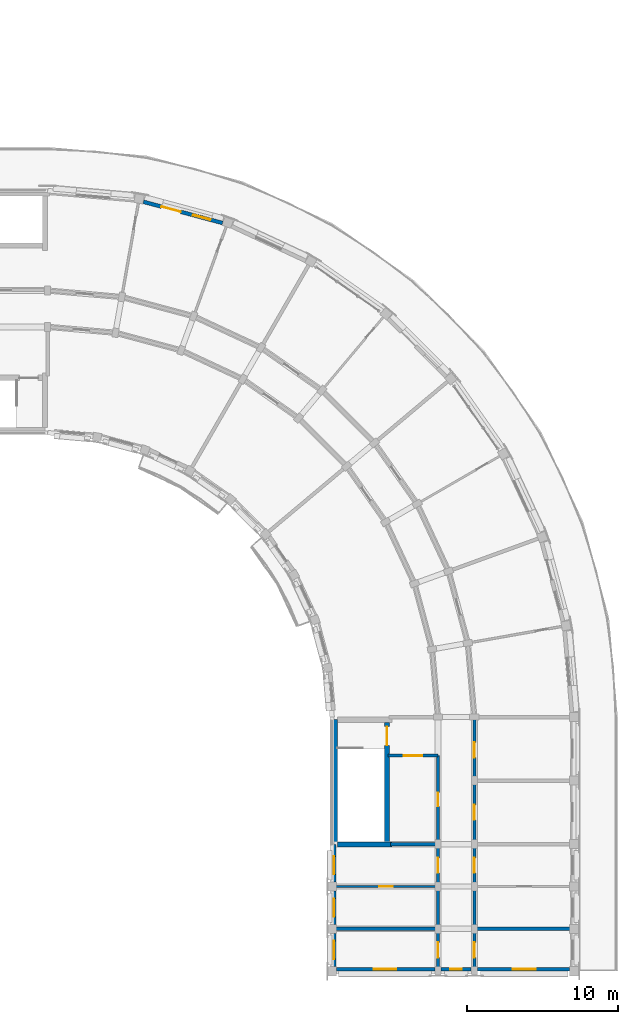
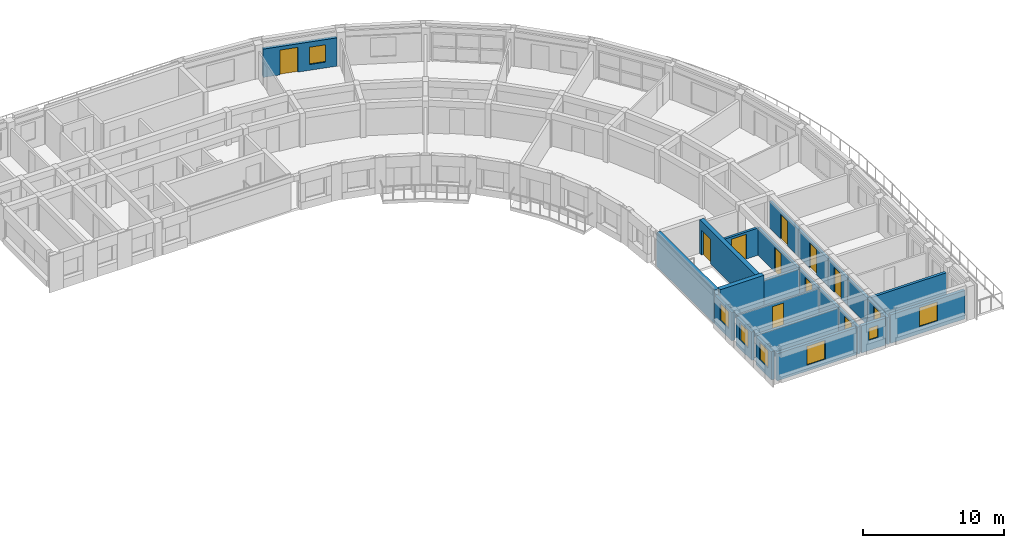
# One storey, part 19 of 32: 24 walls, 11 doors, 7 windows, 18 openings.
"""IFC4 building model written with IfcOpenShell, lengths in metres."""

from ifc_helpers import new_model, si_unit, direction, frame, frame_2d, origin, place, context, subcontext, project, spatial, rectangle, extrude, material, layer, layer_set, type_object, element, fill, save


model = new_model("IFC4")

# Units and contexts
model_context = context("Model", 3, precision=1e-05, world=origin(), true_north=direction((0.0, 1.0)))
body_context = subcontext(model_context, "Body", "Model", "MODEL_VIEW")
ifc_project = project(units=[si_unit("LENGTHUNIT", "METRE"), si_unit("AREAUNIT", "SQUARE_METRE"), si_unit("VOLUMEUNIT", "CUBIC_METRE"), si_unit("PLANEANGLEUNIT", "RADIAN"), si_unit("MASSUNIT", "GRAM", prefix="KILO")], contexts=[model_context])

# Site, building, storey
site_placement = place(None, origin())
site = spatial("IfcSite", under=ifc_project, at=site_placement, CompositionType="ELEMENT")
building_placement = place(site_placement, origin())
building = spatial("IfcBuilding", under=site, at=building_placement, Name="Kiranvali Square Residences", CompositionType="ELEMENT")
storey_placement = place(building_placement, frame((0.0, 0.0, 40.199951171875)))
storey = spatial("IfcBuildingStorey", under=building, at=storey_placement, Name="L12", CompositionType="ELEMENT", Elevation=40.199951171875)

# Wall, opening, door
ifc_material_1 = material(Name="Autoclaved aerated concrete blockwork masonry", Category="masonry")
ifc_layer_1 = layer(ifc_material_1, 0.199951171875)
ifc_layer_set_1 = layer_set([ifc_layer_1], Name="Autoclaved aerated concrete blockwork masonry")
wall_type_1 = type_object("IfcWallType", Name="WL-COR-200", PredefinedType="STANDARD", material=ifc_layer_set_1)
wall_1_placement = place(storey_placement, frame((142.300048828125, 85.25, 0.0), z_axis=(0.0, 0.0, 1.0), x_axis=(1.0, 0.0, 0.0)))
wall_1 = element("IfcWall", 1, at=wall_1_placement, inside=storey, type_object=wall_type_1, Name="L12 architectural wall WL-L12-B-S3-V", PredefinedType="STANDARD", context=body_context, shape_type="SweptSolid", body=[
    extrude(rectangle(XDim=3.300048828125, YDim=0.199951171875, at=frame_2d((1.64990234375, 0.0))), origin(), (0.0, 0.0, 1.0), 2.35205078125),
])
opening_1_placement = place(wall_1_placement, frame((1.0400390625, 0.0, 0.0)))
opening_1 = element("IfcOpeningElement", 2, at=opening_1_placement, cuts=wall_1, Name="Opening FD-COR-60", PredefinedType="OPENING", context=body_context, shape_type="SweptSolid", body=[
    extrude(rectangle(XDim=1.219970703125, YDim=2.14990234375, at=frame_2d((0.60986328125, 1.074951171875))), frame((0.0, 0.10986328125, 0.0), z_axis=(0.0, -1.0, 0.0), x_axis=(1.0, 0.0, 0.0)), (0.0, 0.0, 1.0), 0.219970703125),
])
ifc_material_2 = material(Name="Fire-rated acoustic hardwood and mineral-core door assembly", Category="wood")
door_type_1 = type_object("IfcDoorType", Name="DR-FD60-1200", OperationType="NOTDEFINED", PredefinedType="DOOR", material=ifc_material_2)
door_1_placement = place(opening_1_placement, frame((1.219970703125, 0.0, 0.0), z_axis=(0.0, 0.0, 1.0), x_axis=(-1.0, 0.0, 0.0)))
door_1 = element("IfcDoor", 3, at=door_1_placement, inside=storey, type_object=door_type_1, Name="L12 door DR-L12-1706 (DR-FD60-1200)", OperationType="SINGLE_SWING_RIGHT", OverallHeight=2.14990234375, OverallWidth=1.219970703125, PredefinedType="DOOR", context=body_context, shape_type="SweptSolid", body=[
    extrude(rectangle(XDim=1.219970703125, YDim=2.14990234375, at=frame_2d((0.60986328125, 1.074951171875))), frame((0.0, 0.02490234375, 0.0), z_axis=(0.0, -1.0, 0.0), x_axis=(1.0, 0.0, 0.0)), (0.0, 0.0, 1.0), 0.050048828125),
])
fill(opening_1, door_1)

wall_2_placement = place(storey_placement, frame((145.60009765625, 85.25, 0.0), z_axis=(0.0, 0.0, 1.0), x_axis=(0.0, -1.0, 0.0)))
wall_2 = element("IfcWall", 4, at=wall_2_placement, inside=storey, type_object=wall_type_1, Name="L12 architectural wall WL-L12-B-S3-COR", PredefinedType="STANDARD", context=body_context, shape_type="SweptSolid", body=[
    extrude(rectangle(XDim=5.800048828125, YDim=0.199951171875, at=frame_2d((2.89990234375, 0.0))), origin(), (0.0, 0.0, 1.0), 2.35205078125),
])
opening_2_placement = place(wall_2_placement, frame((2.43994140625, 0.0, 0.0)))
opening_2 = element("IfcOpeningElement", 5, at=opening_2_placement, cuts=wall_2, Name="Opening FD-SVC-120", PredefinedType="OPENING", context=body_context, shape_type="SweptSolid", body=[
    extrude(rectangle(XDim=0.919921875, YDim=2.10009765625, at=frame_2d((0.4599609375, 1.050048828125))), frame((0.0, 0.10986328125, 0.0), z_axis=(0.0, -1.0, 0.0), x_axis=(1.0, 0.0, 0.0)), (0.0, 0.0, 1.0), 0.219970703125),
])
door_type_2 = type_object("IfcDoorType", Name="DR-SVC-900", OperationType="NOTDEFINED", PredefinedType="DOOR", material=ifc_material_2)
door_2_placement = place(opening_2_placement, origin())
door_2 = element("IfcDoor", 6, at=door_2_placement, inside=storey, type_object=door_type_2, Name="L12 door DR-L12-1707 (DR-SVC-900)", OperationType="SINGLE_SWING_LEFT", OverallHeight=2.10009765625, OverallWidth=0.919921875, PredefinedType="DOOR", context=body_context, shape_type="SweptSolid", body=[
    extrude(rectangle(XDim=0.919921875, YDim=2.10009765625, at=frame_2d((0.4599609375, 1.050048828125))), frame((0.0, 0.02490234375, 0.0), z_axis=(0.0, -1.0, 0.0), x_axis=(1.0, 0.0, 0.0)), (0.0, 0.0, 1.0), 0.050048828125),
])
fill(opening_2, door_2)

wall_3_placement = place(storey_placement, frame((148.0, 87.64990234375, 0.0), z_axis=(0.0, 0.0, 1.0), x_axis=(0.0, -1.0, 0.0)))
wall_3 = element("IfcWall", 7, at=wall_3_placement, inside=storey, type_object=wall_type_1, Name="L12 architectural wall WL-L12-B-A2CF-C0", PredefinedType="STANDARD", context=body_context, shape_type="SweptSolid", body=[
    extrude(rectangle(XDim=4.0498046875, YDim=0.199951171875, at=frame_2d((2.02490234375, 0.0))), origin(), (0.0, 0.0, 1.0), 2.35205078125),
])
opening_3_placement = place(wall_3_placement, frame((1.52490234375, 0.0, 0.0)))
opening_3 = element("IfcOpeningElement", 8, at=opening_3_placement, cuts=wall_3, Name="Opening FD-APT-60", PredefinedType="OPENING", context=body_context, shape_type="SweptSolid", body=[
    extrude(rectangle(XDim=1.0, YDim=2.14990234375, at=frame_2d((0.5, 1.074951171875))), frame((0.0, 0.10986328125, 0.0), z_axis=(0.0, -1.0, 0.0), x_axis=(1.0, 0.0, 0.0)), (0.0, 0.0, 1.0), 0.219970703125),
])
door_type_3 = type_object("IfcDoorType", Name="DR-APT-1000", OperationType="NOTDEFINED", PredefinedType="DOOR", material=ifc_material_2)
door_3_placement = place(opening_3_placement, frame((1.0, 0.0, 0.0), z_axis=(0.0, 0.0, 1.0), x_axis=(-1.0, 0.0, 0.0)))
door_3 = element("IfcDoor", 9, at=door_3_placement, inside=storey, type_object=door_type_3, Name="L12 door DR-L12-1726 (DR-APT-1000)", OperationType="SINGLE_SWING_RIGHT", OverallHeight=2.14990234375, OverallWidth=1.0, PredefinedType="DOOR", context=body_context, shape_type="SweptSolid", body=[
    extrude(rectangle(XDim=1.0, YDim=2.14990234375, at=frame_2d((0.5, 1.074951171875))), frame((0.0, 0.02490234375, 0.0), z_axis=(0.0, -1.0, 0.0), x_axis=(1.0, 0.0, 0.0)), (0.0, 0.0, 1.0), 0.050048828125),
])
fill(opening_3, door_3)

wall_4_placement = place(storey_placement, frame((148.0, 83.60009765625, 0.0), z_axis=(0.0, 0.0, 1.0), x_axis=(0.0, -1.0, 0.0)))
wall_4 = element("IfcWall", 10, at=wall_4_placement, inside=storey, type_object=wall_type_1, Name="L12 architectural wall WL-L12-B-A2CF-C1", PredefinedType="STANDARD", context=body_context, shape_type="SweptSolid", body=[
    extrude(rectangle(XDim=4.2001953125, YDim=0.199951171875, at=frame_2d((2.10009765625, 0.0))), origin(), (0.0, 0.0, 1.0), 2.35205078125),
])
opening_4_placement = place(wall_4_placement, frame((1.60009765625, 0.0, 0.0)))
opening_4 = element("IfcOpeningElement", 11, at=opening_4_placement, cuts=wall_4, Name="Opening FD-APT-60", PredefinedType="OPENING", context=body_context, shape_type="SweptSolid", body=[
    extrude(rectangle(XDim=1.0, YDim=2.14990234375, at=frame_2d((0.5, 1.074951171875))), frame((0.0, 0.10986328125, 0.0), z_axis=(0.0, -1.0, 0.0), x_axis=(1.0, 0.0, 0.0)), (0.0, 0.0, 1.0), 0.219970703125),
])
door_4_placement = place(opening_4_placement, origin())
door_4 = element("IfcDoor", 12, at=door_4_placement, inside=storey, type_object=door_type_3, Name="L12 door DR-L12-1727 (DR-APT-1000)", OperationType="SINGLE_SWING_LEFT", OverallHeight=2.14990234375, OverallWidth=1.0, PredefinedType="DOOR", context=body_context, shape_type="SweptSolid", body=[
    extrude(rectangle(XDim=1.0, YDim=2.14990234375, at=frame_2d((0.5, 1.074951171875))), frame((0.0, 0.02490234375, 0.0), z_axis=(0.0, -1.0, 0.0), x_axis=(1.0, 0.0, 0.0)), (0.0, 0.0, 1.0), 0.050048828125),
])
fill(opening_4, door_4)

wall_5_placement = place(storey_placement, frame((145.60009765625, 79.39990234375, 0.0), z_axis=(0.0, 0.0, 1.0), x_axis=(0.0, -1.0, 0.0)))
wall_5 = element("IfcWall", 13, at=wall_5_placement, inside=storey, type_object=wall_type_1, Name="L12 architectural wall WL-L12-B-A2CI-0", PredefinedType="STANDARD", context=body_context, shape_type="SweptSolid", body=[
    extrude(rectangle(XDim=2.7998046875, YDim=0.199951171875, at=frame_2d((1.39990234375, 0.0))), origin(), (0.0, 0.0, 1.0), 2.35205078125),
])
opening_5_placement = place(wall_5_placement, frame((0.89990234375, 0.0, 0.0)))
opening_5 = element("IfcOpeningElement", 14, at=opening_5_placement, cuts=wall_5, Name="Opening FD-APT-60", PredefinedType="OPENING", context=body_context, shape_type="SweptSolid", body=[
    extrude(rectangle(XDim=1.0, YDim=2.14990234375, at=frame_2d((0.5, 1.074951171875))), frame((0.0, 0.10986328125, 0.0), z_axis=(0.0, -1.0, 0.0), x_axis=(1.0, 0.0, 0.0)), (0.0, 0.0, 1.0), 0.219970703125),
])
door_5_placement = place(opening_5_placement, frame((1.0, 0.0, 0.0), z_axis=(0.0, 0.0, 1.0), x_axis=(-1.0, 0.0, 0.0)))
door_5 = element("IfcDoor", 15, at=door_5_placement, inside=storey, type_object=door_type_3, Name="L12 door DR-L12-1728 (DR-APT-1000)", OperationType="SINGLE_SWING_RIGHT", OverallHeight=2.14990234375, OverallWidth=1.0, PredefinedType="DOOR", context=body_context, shape_type="SweptSolid", body=[
    extrude(rectangle(XDim=1.0, YDim=2.14990234375, at=frame_2d((0.5, 1.074951171875))), frame((0.0, 0.02490234375, 0.0), z_axis=(0.0, -1.0, 0.0), x_axis=(1.0, 0.0, 0.0)), (0.0, 0.0, 1.0), 0.050048828125),
])
fill(opening_5, door_5)

wall_6_placement = place(storey_placement, frame((148.0, 79.39990234375, 0.0), z_axis=(0.0, 0.0, 1.0), x_axis=(0.0, -1.0, 0.0)))
wall_6 = element("IfcWall", 16, at=wall_6_placement, inside=storey, type_object=wall_type_1, Name="L12 architectural wall WL-L12-B-A2CO-0", PredefinedType="STANDARD", context=body_context, shape_type="SweptSolid", body=[
    extrude(rectangle(XDim=2.7998046875, YDim=0.199951171875, at=frame_2d((1.39990234375, 0.0))), origin(), (0.0, 0.0, 1.0), 2.35205078125),
])
opening_6_placement = place(wall_6_placement, frame((0.89990234375, 0.0, 0.0)))
opening_6 = element("IfcOpeningElement", 17, at=opening_6_placement, cuts=wall_6, Name="Opening FD-APT-60", PredefinedType="OPENING", context=body_context, shape_type="SweptSolid", body=[
    extrude(rectangle(XDim=1.0, YDim=2.14990234375, at=frame_2d((0.5, 1.074951171875))), frame((0.0, 0.10986328125, 0.0), z_axis=(0.0, -1.0, 0.0), x_axis=(1.0, 0.0, 0.0)), (0.0, 0.0, 1.0), 0.219970703125),
])
door_6_placement = place(opening_6_placement, origin())
door_6 = element("IfcDoor", 18, at=door_6_placement, inside=storey, type_object=door_type_3, Name="L12 door DR-L12-1729 (DR-APT-1000)", OperationType="SINGLE_SWING_LEFT", OverallHeight=2.14990234375, OverallWidth=1.0, PredefinedType="DOOR", context=body_context, shape_type="SweptSolid", body=[
    extrude(rectangle(XDim=1.0, YDim=2.14990234375, at=frame_2d((0.5, 1.074951171875))), frame((0.0, 0.02490234375, 0.0), z_axis=(0.0, -1.0, 0.0), x_axis=(1.0, 0.0, 0.0)), (0.0, 0.0, 1.0), 0.050048828125),
])
fill(opening_6, door_6)

# Walls
for number, where, z_axis, x_axis, name in (
    (19, (145.60009765625, 76.60009765625, 0.0), (0.0, 0.0, 1.0), (0.0, -1.0, 0.0), "L12 architectural wall WL-L12-B-A2CI-1"),
    (20, (148.0, 76.60009765625, 0.0), (0.0, 0.0, 1.0), (0.0, -1.0, 0.0), "L12 architectural wall WL-L12-B-A2CO-1"),
):
    element("IfcWall", number, at=place(storey_placement, frame(where, z_axis=z_axis, x_axis=x_axis)), inside=storey, type_object=wall_type_1, Name=name, PredefinedType="STANDARD", context=body_context, shape_type="SweptSolid", body=[
        extrude(rectangle(XDim=2.800048828125, YDim=0.199951171875, at=frame_2d((1.39990234375, 0.0))), origin(), (0.0, 0.0, 1.0), 2.35205078125),
    ])

# Wall, opening, door
wall_7_placement = place(storey_placement, frame((145.60009765625, 73.800048828125, 0.0), z_axis=(0.0, 0.0, 1.0), x_axis=(0.0, -1.0, 0.0)))
wall_7 = element("IfcWall", 21, at=wall_7_placement, inside=storey, type_object=wall_type_1, Name="L12 architectural wall WL-L12-B-A2CI-2", PredefinedType="STANDARD", context=body_context, shape_type="SweptSolid", body=[
    extrude(rectangle(XDim=2.800048828125, YDim=0.199951171875, at=frame_2d((1.39990234375, 0.0))), origin(), (0.0, 0.0, 1.0), 2.35205078125),
])
opening_7_placement = place(wall_7_placement, frame((0.89990234375, 0.0, 0.0)))
opening_7 = element("IfcOpeningElement", 22, at=opening_7_placement, cuts=wall_7, Name="Opening FD-APT-60", PredefinedType="OPENING", context=body_context, shape_type="SweptSolid", body=[
    extrude(rectangle(XDim=1.0, YDim=2.14990234375, at=frame_2d((0.5, 1.074951171875))), frame((0.0, 0.10986328125, 0.0), z_axis=(0.0, -1.0, 0.0), x_axis=(1.0, 0.0, 0.0)), (0.0, 0.0, 1.0), 0.219970703125),
])
door_7_placement = place(opening_7_placement, frame((1.0, 0.0, 0.0), z_axis=(0.0, 0.0, 1.0), x_axis=(-1.0, 0.0, 0.0)))
door_7 = element("IfcDoor", 23, at=door_7_placement, inside=storey, type_object=door_type_3, Name="L12 door DR-L12-1732 (DR-APT-1000)", OperationType="SINGLE_SWING_RIGHT", OverallHeight=2.14990234375, OverallWidth=1.0, PredefinedType="DOOR", context=body_context, shape_type="SweptSolid", body=[
    extrude(rectangle(XDim=1.0, YDim=2.14990234375, at=frame_2d((0.5, 1.074951171875))), frame((0.0, 0.02490234375, 0.0), z_axis=(0.0, -1.0, 0.0), x_axis=(1.0, 0.0, 0.0)), (0.0, 0.0, 1.0), 0.050048828125),
])
fill(opening_7, door_7)

wall_8_placement = place(storey_placement, frame((148.0, 73.800048828125, 0.0), z_axis=(0.0, 0.0, 1.0), x_axis=(0.0, -1.0, 0.0)))
wall_8 = element("IfcWall", 24, at=wall_8_placement, inside=storey, type_object=wall_type_1, Name="L12 architectural wall WL-L12-B-A2CO-2", PredefinedType="STANDARD", context=body_context, shape_type="SweptSolid", body=[
    extrude(rectangle(XDim=2.800048828125, YDim=0.199951171875, at=frame_2d((1.39990234375, 0.0))), origin(), (0.0, 0.0, 1.0), 2.35205078125),
])
opening_8_placement = place(wall_8_placement, frame((0.89990234375, 0.0, 0.0)))
opening_8 = element("IfcOpeningElement", 25, at=opening_8_placement, cuts=wall_8, Name="Opening FD-APT-60", PredefinedType="OPENING", context=body_context, shape_type="SweptSolid", body=[
    extrude(rectangle(XDim=1.0, YDim=2.14990234375, at=frame_2d((0.5, 1.074951171875))), frame((0.0, 0.10986328125, 0.0), z_axis=(0.0, -1.0, 0.0), x_axis=(1.0, 0.0, 0.0)), (0.0, 0.0, 1.0), 0.219970703125),
])
door_8_placement = place(opening_8_placement, origin())
door_8 = element("IfcDoor", 26, at=door_8_placement, inside=storey, type_object=door_type_3, Name="L12 door DR-L12-1733 (DR-APT-1000)", OperationType="SINGLE_SWING_LEFT", OverallHeight=2.14990234375, OverallWidth=1.0, PredefinedType="DOOR", context=body_context, shape_type="SweptSolid", body=[
    extrude(rectangle(XDim=1.0, YDim=2.14990234375, at=frame_2d((0.5, 1.074951171875))), frame((0.0, 0.02490234375, 0.0), z_axis=(0.0, -1.0, 0.0), x_axis=(1.0, 0.0, 0.0)), (0.0, 0.0, 1.0), 0.050048828125),
])
fill(opening_8, door_8)

# Walls
ifc_layer_2 = layer(ifc_material_1, 0.219970703125)
ifc_layer_set_2 = layer_set([ifc_layer_2], Name="Autoclaved aerated concrete blockwork masonry")
wall_type_2 = type_object("IfcWallType", Name="WL-DEM-220", PredefinedType="STANDARD", material=ifc_layer_set_2)
wall_9_placement = place(storey_placement, frame((142.449951171875, 79.39990234375, 0.0), z_axis=(0.0, 0.0, 1.0), x_axis=(1.0, 0.0, 0.0)))
element("IfcWall", 27, at=wall_9_placement, inside=storey, type_object=wall_type_2, Name="L12 architectural wall WL-L12-B-A2TI-0", PredefinedType="STANDARD", context=body_context, shape_type="SweptSolid", body=[
    extrude(rectangle(XDim=3.10009765625, YDim=0.219970703125, at=frame_2d((1.550048828125, 0.0))), origin(), (0.0, 0.0, 1.0), 2.35205078125),
])
wall_10_placement = place(storey_placement, frame((138.800048828125, 73.800048828125, 0.0), z_axis=(0.0, 0.0, 1.0), x_axis=(1.0, 0.0, 0.0)))
element("IfcWall", 28, at=wall_10_placement, inside=storey, type_object=wall_type_2, Name="L12 architectural wall WL-L12-B-A2TI-2", PredefinedType="STANDARD", context=body_context, shape_type="SweptSolid", body=[
    extrude(rectangle(XDim=6.75, YDim=0.219970703125, at=frame_2d((3.375, 0.0))), origin(), (0.0, 0.0, 1.0), 2.35205078125),
])
wall_11_placement = place(storey_placement, frame((148.10009765625, 73.800048828125, 0.0), z_axis=(0.0, 0.0, 1.0), x_axis=(1.0, 0.0, 0.0)))
element("IfcWall", 29, at=wall_11_placement, inside=storey, type_object=wall_type_2, Name="L12 architectural wall WL-L12-B-A2TO-2", PredefinedType="STANDARD", context=body_context, shape_type="SweptSolid", body=[
    extrude(rectangle(XDim=6.219970703125, YDim=0.219970703125, at=frame_2d((3.10986328125, 0.0))), origin(), (0.0, 0.0, 1.0), 2.35205078125),
])

# Wall, openings, door, window
ifc_material_3 = material(Name="Breathable lime-rendered clay brick masonry", Category="masonry")
ifc_layer_3 = layer(ifc_material_3, 0.25)
ifc_layer_set_3 = layer_set([ifc_layer_3], Name="Breathable lime-rendered clay brick masonry")
wall_type_3 = type_object("IfcWallType", Name="WL-EXT-250", PredefinedType="STANDARD", material=ifc_layer_set_3)
wall_12_placement = place(storey_placement, frame((126.125244140625, 121.8662109375, 0.0), z_axis=(0.0, 0.0, 1.0), x_axis=(0.965928932241, -0.258807453254, 0.0)))
wall_12 = element("IfcWall", 30, at=wall_12_placement, inside=storey, type_object=wall_type_3, Name="L12 exterior wall B-L12-CRV-01", PredefinedType="STANDARD", context=body_context, shape_type="SweptSolid", body=[
    extrude(rectangle(XDim=5.414794921875, YDim=0.25, at=frame_2d((2.70751953125, 0.0))), origin(), (0.0, 0.0, 1.0), 2.4521484375),
])
opening_9_placement = place(wall_12_placement, frame((3.395263671875, 0.0, 0.501953125)))
opening_9 = element("IfcOpeningElement", 31, at=opening_9_placement, cuts=wall_12, Name="Opening W-06", PredefinedType="OPENING", context=body_context, shape_type="SweptSolid", body=[
    extrude(rectangle(XDim=1.199951171875, YDim=1.5, at=frame_2d((0.60009765625, 0.75))), frame((0.0, 0.135009765625, 0.0), z_axis=(0.0, -1.0, 0.0), x_axis=(1.0, 0.0, 0.0)), (0.0, 0.0, 1.0), 0.27001953125),
])
opening_10_placement = place(wall_12_placement, frame((1.235107421875, 0.0, 0.0)))
opening_10 = element("IfcOpeningElement", 32, at=opening_10_placement, cuts=wall_12, Name="Opening ED-BAL-3", PredefinedType="OPENING", context=body_context, shape_type="SweptSolid", body=[
    extrude(rectangle(XDim=1.320068359375, YDim=2.14990234375, at=frame_2d((0.66015625, 1.074951171875))), frame((0.0, 0.135009765625, 0.0), z_axis=(0.0, -1.0, 0.0), x_axis=(1.0, 0.0, 0.0)), (0.0, 0.0, 1.0), 0.27001953125),
])
ifc_material_4 = material(Name="Anodised bronze aluminium framing", Category="aluminium")
door_type_4 = type_object("IfcDoorType", Name="DR-BAL-1320", OperationType="NOTDEFINED", PredefinedType="DOOR", material=ifc_material_4)
door_9_placement = place(opening_10_placement, origin())
door_9 = element("IfcDoor", 33, at=door_9_placement, inside=storey, type_object=door_type_4, Name="L12 balcony terrace door", OperationType="SINGLE_SWING_LEFT", OverallHeight=2.14990234375, OverallWidth=1.320068359375, PredefinedType="DOOR", context=body_context, shape_type="SweptSolid", body=[
    extrude(rectangle(XDim=1.320068359375, YDim=2.14990234375, at=frame_2d((0.66015625, 1.074951171875))), frame((0.0, 0.02490234375, 0.0), z_axis=(0.0, -1.0, 0.0), x_axis=(1.0, 0.0, 0.0)), (0.0, 0.0, 1.0), 0.050048828125),
])
fill(opening_10, door_9)
ifc_material_5 = material(Name="Solar-control low-e double glazing", Category="glass")
window_type_1 = type_object("IfcWindowType", Name="WIN-RES-1200x1500", PartitioningType="SINGLE_PANEL", PredefinedType="WINDOW", material=ifc_material_5)
window_1_placement = place(opening_9_placement, origin())
window_1 = element("IfcWindow", 34, at=window_1_placement, inside=storey, type_object=window_type_1, Name="L12 recessed window B-L12-CRV-01", OverallHeight=1.5, OverallWidth=1.199951171875, PartitioningType="SINGLE_PANEL", PredefinedType="WINDOW", context=body_context, shape_type="SweptSolid", body=[
    extrude(rectangle(XDim=1.199951171875, YDim=1.5, at=frame_2d((0.60009765625, 0.75))), frame((0.0, 0.030029296875, 0.0), z_axis=(0.0, -1.0, 0.0), x_axis=(1.0, 0.0, 0.0)), (0.0, 0.0, 1.0), 0.06005859375),
])
fill(opening_9, window_1)

# Wall, opening, window
wall_13_placement = place(storey_placement, frame((138.72509765625, 79.37158203125, 0.0), z_axis=(0.0, 0.0, 1.0), x_axis=(0.0, -1.0, 0.0)))
wall_13 = element("IfcWall", 35, at=wall_13_placement, inside=storey, type_object=wall_type_3, Name="L12 exterior wall B-L12-A2I-0", PredefinedType="STANDARD", context=body_context, shape_type="SweptSolid", body=[
    extrude(rectangle(XDim=2.468017578125, YDim=0.25, at=frame_2d((1.23388671875, 0.0))), origin(), (0.0, 0.0, 1.0), 2.4521484375),
])
opening_11_placement = place(wall_13_placement, frame((0.771484375, 0.0, 0.751953125)))
opening_11 = element("IfcOpeningElement", 36, at=opening_11_placement, cuts=wall_13, Name="Opening W-06", PredefinedType="OPENING", context=body_context, shape_type="SweptSolid", body=[
    extrude(rectangle(XDim=1.199951171875, YDim=1.5, at=frame_2d((0.60009765625, 0.75))), frame((0.0, 0.135009765625, 0.0), z_axis=(0.0, -1.0, 0.0), x_axis=(1.0, 0.0, 0.0)), (0.0, 0.0, 1.0), 0.27001953125),
])
window_2_placement = place(opening_11_placement, origin())
window_2 = element("IfcWindow", 37, at=window_2_placement, inside=storey, type_object=window_type_1, Name="L12 recessed window B-L12-A2I-0", OverallHeight=1.5, OverallWidth=1.199951171875, PartitioningType="SINGLE_PANEL", PredefinedType="WINDOW", context=body_context, shape_type="SweptSolid", body=[
    extrude(rectangle(XDim=1.199951171875, YDim=1.5, at=frame_2d((0.60009765625, 0.75))), frame((0.0, 0.030029296875, 0.0), z_axis=(0.0, -1.0, 0.0), x_axis=(1.0, 0.0, 0.0)), (0.0, 0.0, 1.0), 0.06005859375),
])
fill(opening_11, window_2)

wall_14_placement = place(storey_placement, frame((138.72509765625, 76.29638671875, 0.0), z_axis=(0.0, 0.0, 1.0), x_axis=(0.0, -1.0, 0.0)))
wall_14 = element("IfcWall", 38, at=wall_14_placement, inside=storey, type_object=wall_type_3, Name="L12 exterior wall B-L12-A2I-1", PredefinedType="STANDARD", context=body_context, shape_type="SweptSolid", body=[
    extrude(rectangle(XDim=2.19287109375, YDim=0.25, at=frame_2d((1.096435546875, 0.0))), origin(), (0.0, 0.0, 1.0), 2.4521484375),
])
opening_12_placement = place(wall_14_placement, frame((0.49658203125, 0.0, 0.751953125)))
opening_12 = element("IfcOpeningElement", 39, at=opening_12_placement, cuts=wall_14, Name="Opening W-06", PredefinedType="OPENING", context=body_context, shape_type="SweptSolid", body=[
    extrude(rectangle(XDim=1.199951171875, YDim=1.5, at=frame_2d((0.60009765625, 0.75))), frame((0.0, 0.135009765625, 0.0), z_axis=(0.0, -1.0, 0.0), x_axis=(1.0, 0.0, 0.0)), (0.0, 0.0, 1.0), 0.27001953125),
])
window_3_placement = place(opening_12_placement, origin())
window_3 = element("IfcWindow", 40, at=window_3_placement, inside=storey, type_object=window_type_1, Name="L12 recessed window B-L12-A2I-1", OverallHeight=1.5, OverallWidth=1.199951171875, PartitioningType="SINGLE_PANEL", PredefinedType="WINDOW", context=body_context, shape_type="SweptSolid", body=[
    extrude(rectangle(XDim=1.199951171875, YDim=1.5, at=frame_2d((0.60009765625, 0.75))), frame((0.0, 0.030029296875, 0.0), z_axis=(0.0, -1.0, 0.0), x_axis=(1.0, 0.0, 0.0)), (0.0, 0.0, 1.0), 0.06005859375),
])
fill(opening_12, window_3)

wall_15_placement = place(storey_placement, frame((138.72509765625, 73.49658203125, 0.0), z_axis=(0.0, 0.0, 1.0), x_axis=(0.0, -1.0, 0.0)))
wall_15 = element("IfcWall", 41, at=wall_15_placement, inside=storey, type_object=wall_type_3, Name="L12 exterior wall B-L12-A2I-2", PredefinedType="STANDARD", context=body_context, shape_type="SweptSolid", body=[
    extrude(rectangle(XDim=2.193115234375, YDim=0.25, at=frame_2d((1.0966796875, 0.0))), origin(), (0.0, 0.0, 1.0), 2.4521484375),
])
opening_13_placement = place(wall_15_placement, frame((0.49658203125, 0.0, 0.751953125)))
opening_13 = element("IfcOpeningElement", 42, at=opening_13_placement, cuts=wall_15, Name="Opening W-06", PredefinedType="OPENING", context=body_context, shape_type="SweptSolid", body=[
    extrude(rectangle(XDim=1.199951171875, YDim=1.5, at=frame_2d((0.60009765625, 0.75))), frame((0.0, 0.135009765625, 0.0), z_axis=(0.0, -1.0, 0.0), x_axis=(1.0, 0.0, 0.0)), (0.0, 0.0, 1.0), 0.27001953125),
])
window_4_placement = place(opening_13_placement, origin())
window_4 = element("IfcWindow", 43, at=window_4_placement, inside=storey, type_object=window_type_1, Name="L12 recessed window B-L12-A2I-2", OverallHeight=1.5, OverallWidth=1.199951171875, PartitioningType="SINGLE_PANEL", PredefinedType="WINDOW", context=body_context, shape_type="SweptSolid", body=[
    extrude(rectangle(XDim=1.199951171875, YDim=1.5, at=frame_2d((0.60009765625, 0.75))), frame((0.0, 0.030029296875, 0.0), z_axis=(0.0, -1.0, 0.0), x_axis=(1.0, 0.0, 0.0)), (0.0, 0.0, 1.0), 0.06005859375),
])
fill(opening_13, window_4)

wall_16_placement = place(storey_placement, frame((138.903564453125, 71.125, 0.0), z_axis=(0.0, 0.0, 1.0), x_axis=(1.0, 0.0, 0.0)))
wall_16 = element("IfcWall", 44, at=wall_16_placement, inside=storey, type_object=wall_type_3, Name="L12 exterior wall B-L12-A2END-0", PredefinedType="STANDARD", context=body_context, shape_type="SweptSolid", body=[
    extrude(rectangle(XDim=6.492919921875, YDim=0.25, at=frame_2d((3.24658203125, 0.0))), origin(), (0.0, 0.0, 1.0), 2.35205078125),
])
opening_14_placement = place(wall_16_placement, frame((2.446533203125, 0.0, 0.501953125)))
opening_14 = element("IfcOpeningElement", 45, at=opening_14_placement, cuts=wall_16, Name="Opening W-05", PredefinedType="OPENING", context=body_context, shape_type="SweptSolid", body=[
    extrude(rectangle(XDim=1.5, YDim=1.64990234375, at=frame_2d((0.75, 0.824951171875))), frame((0.0, 0.135009765625, 0.0), z_axis=(0.0, -1.0, 0.0), x_axis=(1.0, 0.0, 0.0)), (0.0, 0.0, 1.0), 0.27001953125),
])
window_type_2 = type_object("IfcWindowType", Name="WIN-RES-1500x1650", PartitioningType="DOUBLE_PANEL_VERTICAL", PredefinedType="WINDOW", material=ifc_material_5)
window_5_placement = place(opening_14_placement, origin())
window_5 = element("IfcWindow", 46, at=window_5_placement, inside=storey, type_object=window_type_2, Name="L12 recessed window B-L12-A2END-0", OverallHeight=1.64990234375, OverallWidth=1.5, PartitioningType="DOUBLE_PANEL_VERTICAL", PredefinedType="WINDOW", context=body_context, shape_type="SweptSolid", body=[
    extrude(rectangle(XDim=1.5, YDim=1.64990234375, at=frame_2d((0.75, 0.824951171875))), frame((0.0, 0.030029296875, 0.0), z_axis=(0.0, -1.0, 0.0), x_axis=(1.0, 0.0, 0.0)), (0.0, 0.0, 1.0), 0.06005859375),
])
fill(opening_14, window_5)

wall_17_placement = place(storey_placement, frame((145.803466796875, 71.125, 0.0), z_axis=(0.0, 0.0, 1.0), x_axis=(1.0, 0.0, 0.0)))
wall_17 = element("IfcWall", 47, at=wall_17_placement, inside=storey, type_object=wall_type_3, Name="L12 exterior wall B-L12-A2END-1", PredefinedType="STANDARD", context=body_context, shape_type="SweptSolid", body=[
    extrude(rectangle(XDim=1.992919921875, YDim=0.25, at=frame_2d((0.99658203125, 0.0))), origin(), (0.0, 0.0, 1.0), 2.35205078125),
])
opening_15_placement = place(wall_17_placement, frame((0.62158203125, 0.0, 0.8798828125)))
opening_15 = element("IfcOpeningElement", 48, at=opening_15_placement, cuts=wall_17, Name="Opening W-07", PredefinedType="OPENING", context=body_context, shape_type="SweptSolid", body=[
    extrude(rectangle(XDim=0.75, YDim=1.050048828125, at=frame_2d((0.375, 0.52490234375))), frame((0.0, 0.135009765625, 0.0), z_axis=(0.0, -1.0, 0.0), x_axis=(1.0, 0.0, 0.0)), (0.0, 0.0, 1.0), 0.27001953125),
])
window_type_3 = type_object("IfcWindowType", Name="WIN-WET-750x1050", PartitioningType="SINGLE_PANEL", PredefinedType="WINDOW", material=ifc_material_5)
window_6_placement = place(opening_15_placement, origin())
window_6 = element("IfcWindow", 49, at=window_6_placement, inside=storey, type_object=window_type_3, Name="L12 recessed window B-L12-A2END-1", OverallHeight=1.050048828125, OverallWidth=0.75, PartitioningType="SINGLE_PANEL", PredefinedType="WINDOW", context=body_context, shape_type="SweptSolid", body=[
    extrude(rectangle(XDim=0.75, YDim=1.050048828125, at=frame_2d((0.375, 0.52490234375))), frame((0.0, 0.030029296875, 0.0), z_axis=(0.0, -1.0, 0.0), x_axis=(1.0, 0.0, 0.0)), (0.0, 0.0, 1.0), 0.06005859375),
])
fill(opening_15, window_6)

wall_18_placement = place(storey_placement, frame((148.20361328125, 71.125, 0.0), z_axis=(0.0, 0.0, 1.0), x_axis=(1.0, 0.0, 0.0)))
wall_18 = element("IfcWall", 50, at=wall_18_placement, inside=storey, type_object=wall_type_3, Name="L12 exterior wall B-L12-A2END-2", PredefinedType="STANDARD", context=body_context, shape_type="SweptSolid", body=[
    extrude(rectangle(XDim=6.0927734375, YDim=0.25, at=frame_2d((3.04638671875, 0.0))), origin(), (0.0, 0.0, 1.0), 2.4599609375),
])
opening_16_placement = place(wall_18_placement, frame((2.346435546875, 0.0, 0.610107421875)))
opening_16 = element("IfcOpeningElement", 51, at=opening_16_placement, cuts=wall_18, Name="Opening W-05", PredefinedType="OPENING", context=body_context, shape_type="SweptSolid", body=[
    extrude(rectangle(XDim=1.5, YDim=1.64990234375, at=frame_2d((0.75, 0.824951171875))), frame((0.0, 0.135009765625, 0.0), z_axis=(0.0, -1.0, 0.0), x_axis=(1.0, 0.0, 0.0)), (0.0, 0.0, 1.0), 0.27001953125),
])
window_7_placement = place(opening_16_placement, origin())
window_7 = element("IfcWindow", 52, at=window_7_placement, inside=storey, type_object=window_type_2, Name="L12 recessed window B-L12-A2END-2", OverallHeight=1.64990234375, OverallWidth=1.5, PartitioningType="DOUBLE_PANEL_VERTICAL", PredefinedType="WINDOW", context=body_context, shape_type="SweptSolid", body=[
    extrude(rectangle(XDim=1.5, YDim=1.64990234375, at=frame_2d((0.75, 0.824951171875))), frame((0.0, 0.030029296875, 0.0), z_axis=(0.0, -1.0, 0.0), x_axis=(1.0, 0.0, 0.0)), (0.0, 0.0, 1.0), 0.06005859375),
])
fill(opening_16, window_7)

# Wall, opening, door
ifc_material_6 = material(Name="Acoustic gypsum board drylined partition", Category="gypsum")
ifc_layer_4 = layer(ifc_material_6, 0.14990234375)
ifc_layer_set_4 = layer_set([ifc_layer_4], Name="Acoustic gypsum board drylined partition")
wall_type_4 = type_object("IfcWallType", Name="WL-PRT-150", PredefinedType="PARTITIONING", material=ifc_layer_set_4)
wall_19_placement = place(storey_placement, frame((138.800048828125, 76.60009765625, 0.0), z_axis=(0.0, 0.0, 1.0), x_axis=(1.0, 0.0, 0.0)))
wall_19 = element("IfcWall", 53, at=wall_19_placement, inside=storey, type_object=wall_type_4, Name="L12 architectural wall WL-L12-B-A2TI-1", PredefinedType="PARTITIONING", context=body_context, shape_type="SweptSolid", body=[
    extrude(rectangle(XDim=6.75, YDim=0.14990234375, at=frame_2d((3.375, 0.0))), origin(), (0.0, 0.0, 1.0), 2.35205078125),
])
opening_17_placement = place(wall_19_placement, frame((2.925048828125, 0.0, 0.0)))
opening_17 = element("IfcOpeningElement", 54, at=opening_17_placement, cuts=wall_19, Name="Opening ID-1", PredefinedType="OPENING", context=body_context, shape_type="SweptSolid", body=[
    extrude(rectangle(XDim=0.89990234375, YDim=2.10009765625, at=frame_2d((0.449951171875, 1.050048828125))), frame((0.0, 0.0849609375, 0.0), z_axis=(0.0, -1.0, 0.0), x_axis=(1.0, 0.0, 0.0)), (0.0, 0.0, 1.0), 0.169921875),
])
ifc_material_7 = material(Name="Solid seasoned teak hardwood joinery", Category="wood")
door_type_5 = type_object("IfcDoorType", Name="DR-INT-900", OperationType="NOTDEFINED", PredefinedType="DOOR", material=ifc_material_7)
door_10_placement = place(opening_17_placement, frame((0.89990234375, 0.0, 0.0), z_axis=(0.0, 0.0, 1.0), x_axis=(-1.0, 0.0, 0.0)))
door_10 = element("IfcDoor", 55, at=door_10_placement, inside=storey, type_object=door_type_5, Name="L12 door DR-L12-1730 (DR-INT-900)", OperationType="SINGLE_SWING_RIGHT", OverallHeight=2.10009765625, OverallWidth=0.89990234375, PredefinedType="DOOR", context=body_context, shape_type="SweptSolid", body=[
    extrude(rectangle(XDim=0.89990234375, YDim=2.10009765625, at=frame_2d((0.449951171875, 1.050048828125))), frame((0.0, 0.02490234375, 0.0), z_axis=(0.0, -1.0, 0.0), x_axis=(1.0, 0.0, 0.0)), (0.0, 0.0, 1.0), 0.050048828125),
])
fill(opening_17, door_10)

# Wall
ifc_material_8 = material(Name="Concrete M45 (45 MPa)", Category="concrete")
ifc_layer_5 = layer(ifc_material_8, 0.320068359375)
ifc_layer_set_5 = layer_set([ifc_layer_5], Name="Concrete M45 (45 MPa)")
wall_type_5 = type_object("IfcWallType", Name="WL-SHR-320", PredefinedType="SHEAR", material=ifc_layer_set_5)
wall_20_placement = place(storey_placement, frame((138.77490234375, 87.625, 0.0), z_axis=(0.0, 0.0, 1.0), x_axis=(0.0, -1.0, 0.0)))
element("IfcWall", 56, at=wall_20_placement, inside=storey, type_object=wall_type_5, Name="Block B core shear wall SW-B3-OUT-L12", PredefinedType="SHEAR", context=body_context, shape_type="SweptSolid", body=[
    extrude(rectangle(XDim=8.25, YDim=0.35009765625, at=frame_2d((4.125, 0.0))), origin(), (0.0, 0.0, 1.0), 2.91015625),
])

# Wall, opening, door
wall_21_placement = place(storey_placement, frame((142.22509765625, 87.449951171875, 0.0), z_axis=(0.0, 0.0, 1.0), x_axis=(0.0, -1.0, 0.0)))
wall_21 = element("IfcWall", 57, at=wall_21_placement, inside=storey, type_object=wall_type_5, Name="Block B core shear wall SW-B3-IN-L12", PredefinedType="SHEAR", context=body_context, shape_type="SweptSolid", body=[
    extrude(rectangle(XDim=7.89990234375, YDim=0.35009765625, at=frame_2d((3.949951171875, 0.0))), origin(), (0.0, 0.0, 1.0), 2.91015625),
])
opening_18_placement = place(wall_21_placement, frame((0.280029296875, 0.0, 0.0)))
opening_18 = element("IfcOpeningElement", 58, at=opening_18_placement, cuts=wall_21, Name="Opening FD-ST-120", PredefinedType="OPENING", context=body_context, shape_type="SweptSolid", body=[
    extrude(rectangle(XDim=1.239990234375, YDim=2.14990234375, at=frame_2d((0.6201171875, 1.074951171875))), frame((0.0, 0.18505859375, 0.0), z_axis=(0.0, -1.0, 0.0), x_axis=(1.0, 0.0, 0.0)), (0.0, 0.0, 1.0), 0.3701171875),
])
door_type_6 = type_object("IfcDoorType", Name="DR-FD120-1200", OperationType="NOTDEFINED", PredefinedType="DOOR", material=ifc_material_2)
door_11_placement = place(opening_18_placement, frame((1.239990234375, 0.0, 0.0), z_axis=(0.0, 0.0, 1.0), x_axis=(-1.0, 0.0, 0.0)))
door_11 = element("IfcDoor", 59, at=door_11_placement, inside=storey, type_object=door_type_6, Name="L12 door DR-L12-1702 (DR-FD120-1200)", OperationType="SINGLE_SWING_RIGHT", OverallHeight=2.14990234375, OverallWidth=1.239990234375, PredefinedType="DOOR", context=body_context, shape_type="SweptSolid", body=[
    extrude(rectangle(XDim=1.239990234375, YDim=2.14990234375, at=frame_2d((0.6201171875, 1.074951171875))), frame((0.0, 0.02490234375, 0.0), z_axis=(0.0, -1.0, 0.0), x_axis=(1.0, 0.0, 0.0)), (0.0, 0.0, 1.0), 0.050048828125),
])
fill(opening_18, door_11)

# Wall
wall_22_placement = place(storey_placement, frame((138.949951171875, 79.375, 0.0), z_axis=(0.0, 0.0, 1.0), x_axis=(1.0, 0.0, 0.0)))
element("IfcWall", 60, at=wall_22_placement, inside=storey, type_object=wall_type_5, Name="Block B core shear wall SW-B3-FAR-L12", PredefinedType="SHEAR", context=body_context, shape_type="SweptSolid", body=[
    extrude(rectangle(XDim=3.60009765625, YDim=0.35009765625, at=frame_2d((1.800048828125, 0.0))), origin(), (0.0, 0.0, 1.0), 2.91015625),
])

save(model, "model.ifc")
